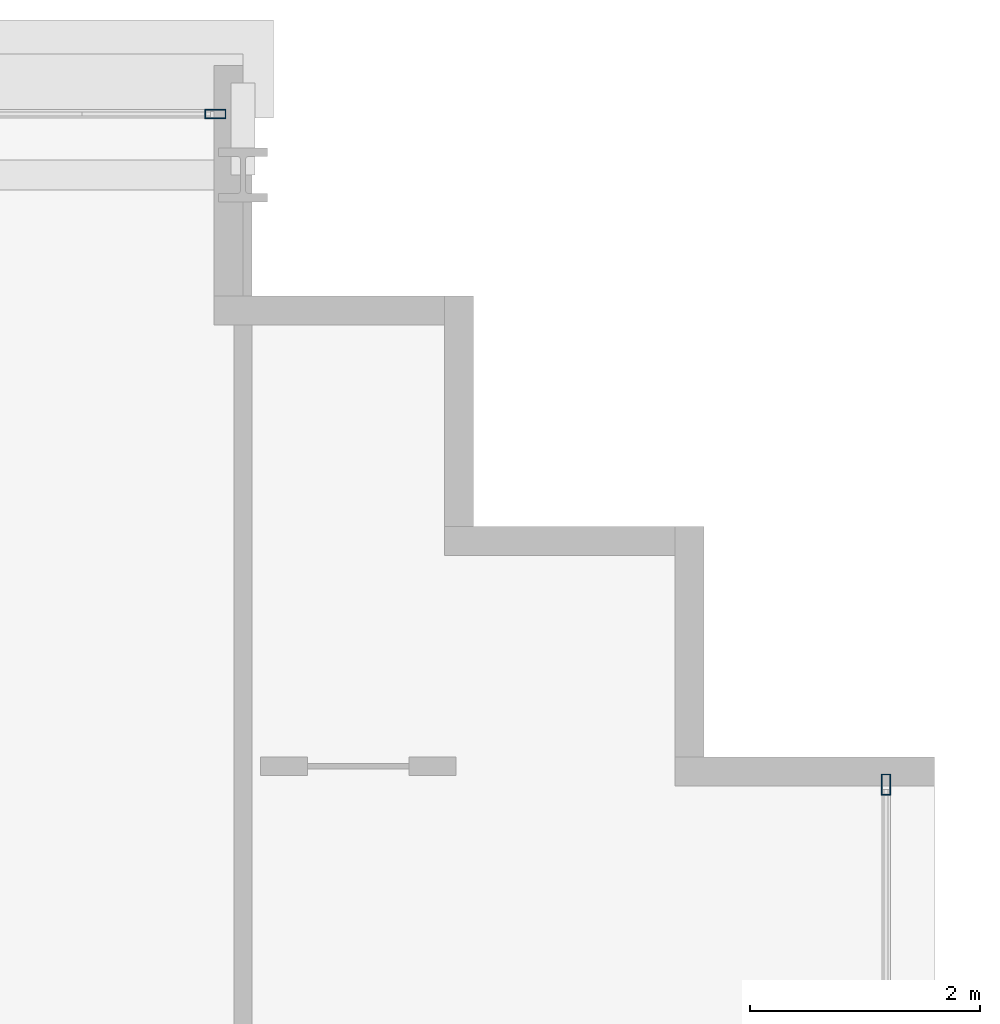
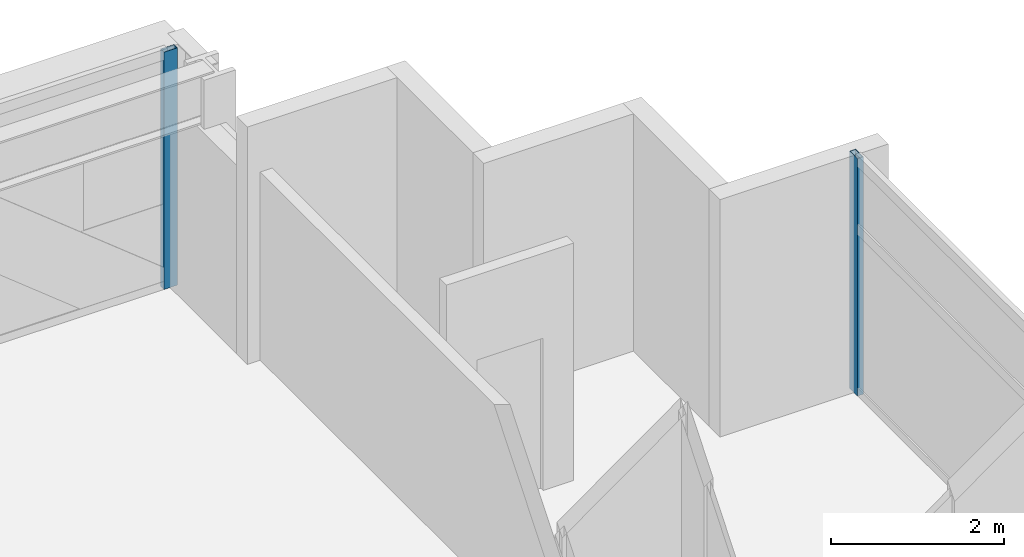
# One storey, part 22 of 35: 2 members, 2 elements without a shape of their own.
"""IFC4 building model written with IfcOpenShell, lengths in metres."""

import ifcopenshell
import ifcopenshell.guid

model = None  # the IFC model being written
_history = None  # IfcOwnerHistory: only IFC2X3 demands one
_inside = {}  # id of a spatial element -> (the spatial element, [elements in it])
_under = {}  # id of a project, library or spatial element -> (it, [spatial elements below it])
_declared = {}  # id of a project -> (the project, [libraries it declares])
_typed = {}  # id of a type object -> (the type object, [elements of that type])
_made_of = {}  # id of a material, layer set ... -> (it, [elements and type objects made of it])


def new_model(schema):
    """Start an empty IFC model of exactly this schema.

    Asked for "IFC4X3", IfcOpenShell would pick the latest addendum, in which some entities
    have other attributes; the version numbers below select the first issue.
    IFC2X3 requires an IfcOwnerHistory on every rooted entity: one is made here for all.
    """
    global model, _history
    if schema == "IFC4X3":
        model = ifcopenshell.file(schema_version=(4, 3, 0, 0))
    else:
        model = ifcopenshell.file(schema=schema)
    _inside.clear()
    _under.clear()
    _declared.clear()
    _typed.clear()
    _made_of.clear()
    _history = None
    if model.schema == "IFC2X3":
        org = make("IfcOrganization", Name="unknown")
        user = make(
            "IfcPersonAndOrganization",
            ThePerson=make("IfcPerson", FamilyName="unknown"),
            TheOrganization=org,
        )
        app = make(
            "IfcApplication",
            ApplicationDeveloper=org,
            Version="unknown",
            ApplicationFullName="unknown",
            ApplicationIdentifier="unknown",
        )
        _history = make(
            "IfcOwnerHistory",
            OwningUser=user,
            OwningApplication=app,
            ChangeAction="ADDED",
            CreationDate=0,
        )
    return model


def make(cls, **values):
    """One entity of the class cls with the attributes given. An attribute that is None is left unset."""
    return model.create_entity(
        cls, **{name: value for name, value in values.items() if value is not None}
    )


def rooted(cls, **values):
    """An entity with a GlobalId (a new one), such as an element, a storey or a relation."""
    return make(cls, GlobalId=ifcopenshell.guid.new(), OwnerHistory=_history, **values)


def si_unit(unit_type, name, prefix=None):
    """IfcSIUnit, for example si_unit("LENGTHUNIT", "METRE", prefix="MILLI")."""
    return make("IfcSIUnit", UnitType=unit_type, Prefix=prefix, Name=name)


def assignment(units):
    """IfcUnitAssignment: the units of a project."""
    return None if units is None else make("IfcUnitAssignment", Units=units)


def point(xyz):
    """IfcCartesianPoint."""
    return None if xyz is None else make("IfcCartesianPoint", Coordinates=xyz)


def direction(xyz):
    """IfcDirection."""
    return None if xyz is None else make("IfcDirection", DirectionRatios=xyz)


def frame(location, z_axis=None, x_axis=None):
    """IfcAxis2Placement3D, a coordinate frame: its origin and axes. An axis left out is left unset."""
    return make(
        "IfcAxis2Placement3D",
        Location=point(location),
        Axis=direction(z_axis),
        RefDirection=direction(x_axis),
    )


def frame_2d(location, x_axis=None):
    """IfcAxis2Placement2D, a coordinate frame in the plane: its origin and x axis."""
    return make(
        "IfcAxis2Placement2D", Location=point(location), RefDirection=direction(x_axis)
    )


def origin():
    """The frame at (0, 0, 0) with its axes left unset."""
    return frame((0.0, 0.0, 0.0))


def origin_2d():
    """The frame at (0, 0) in the plane with its x axis left unset."""
    return frame_2d((0.0, 0.0))


def place(relative_to, where):
    """IfcLocalPlacement: puts the frame where relative to a parent placement (None: the world)."""
    return make(
        "IfcLocalPlacement", PlacementRelTo=relative_to, RelativePlacement=where
    )


def context(
    kind, dimensions, precision=None, world=None, true_north=None, identifier=None
):
    """IfcGeometricRepresentationContext, for example the 3D "Model" context."""
    return make(
        "IfcGeometricRepresentationContext",
        ContextIdentifier=identifier,
        ContextType=kind,
        CoordinateSpaceDimension=dimensions,
        Precision=precision,
        WorldCoordinateSystem=world,
        TrueNorth=true_north,
    )


def subcontext(parent, identifier, kind, view, scale=None):
    """IfcGeometricRepresentationSubContext, for example "Body" below "Model"."""
    return make(
        "IfcGeometricRepresentationSubContext",
        ContextIdentifier=identifier,
        ContextType=kind,
        ParentContext=parent,
        TargetScale=scale,
        TargetView=view,
    )


def project(units=None, contexts=None):
    """IfcProject with its units and contexts."""
    return rooted(
        "IfcProject",
        Name="project",
        RepresentationContexts=contexts,
        UnitsInContext=assignment(units),
    )


def spatial(cls, under=None, at=None, **own):
    """A site, building, storey or space (cls), placed at a placement, below another one or the project."""
    s = rooted(cls, ObjectPlacement=at, **own)
    if under is not None:
        _under.setdefault(under.id(), (under, []))[1].append(s)
    return s


def profile(cls, at=None, kind="AREA", **sizes):
    """A parametric profile (cls). Its sizes go by their IFC names, for example OverallWidth=200.0."""
    return make(cls, ProfileType=kind, Position=at, **sizes)


def hollow_rectangle(**sizes):
    """IfcRectangleHollowProfileDef."""
    return profile("IfcRectangleHollowProfileDef", **sizes)


def extrude(swept, where, along, depth):
    """IfcExtrudedAreaSolid: the profile swept, set in the frame where, extruded along a direction by depth."""
    return make(
        "IfcExtrudedAreaSolid",
        SweptArea=swept,
        Position=where,
        ExtrudedDirection=direction(along),
        Depth=depth,
    )


def shape(context_of_items, identifier, shape_type, items):
    """IfcShapeRepresentation: the items that make up one representation, for example the "Body"."""
    return make(
        "IfcShapeRepresentation",
        ContextOfItems=context_of_items,
        RepresentationIdentifier=identifier,
        RepresentationType=shape_type,
        Items=items,
    )


def source(mapping_origin, context_of_items, identifier, shape_type, items):
    """IfcRepresentationMap: a shape defined once, which mapped items show again and again."""
    return make(
        "IfcRepresentationMap",
        MappingOrigin=mapping_origin,
        MappedRepresentation=shape(context_of_items, identifier, shape_type, items),
    )


def transform(
    local_origin,
    x_axis=None,
    y_axis=None,
    z_axis=None,
    scale=None,
    scale2=None,
    scale3=None,
    uniform=True,
):
    """IfcCartesianTransformationOperator3D, or its non-uniform kind. x_axis, y_axis, z_axis: its Axis1, 2, 3."""
    if uniform:
        return make(
            "IfcCartesianTransformationOperator3D",
            Axis1=direction(x_axis),
            Axis2=direction(y_axis),
            LocalOrigin=point(local_origin),
            Scale=scale,
            Axis3=direction(z_axis),
        )
    return make(
        "IfcCartesianTransformationOperator3DnonUniform",
        Axis1=direction(x_axis),
        Axis2=direction(y_axis),
        LocalOrigin=point(local_origin),
        Scale=scale,
        Axis3=direction(z_axis),
        Scale2=scale2,
        Scale3=scale3,
    )


def mapped(mapping_source, mapping_target):
    """IfcMappedItem: shows the shape of a source again, moved by a transform."""
    return make(
        "IfcMappedItem", MappingSource=mapping_source, MappingTarget=mapping_target
    )


def material(Name=None, Category=None):
    """IfcMaterial."""
    return make("IfcMaterial", Name=Name, Category=Category)


def layer(
    of_material, thickness, ventilated=None, Name=None, Category=None, Priority=None
):
    """IfcMaterialLayer: one layer of a wall or slab, of a material (None: an air gap)."""
    return make(
        "IfcMaterialLayer",
        Material=of_material,
        LayerThickness=thickness,
        IsVentilated=ventilated,
        Name=Name,
        Category=Category,
        Priority=Priority,
    )


def layer_set(layers, Name=None):
    """IfcMaterialLayerSet."""
    return make("IfcMaterialLayerSet", MaterialLayers=layers, LayerSetName=Name)


def material_profile(
    of_material, cross_section, Name=None, Category=None, Priority=None
):
    """IfcMaterialProfile: a cross section and its material."""
    return make(
        "IfcMaterialProfile",
        Name=Name,
        Material=of_material,
        Profile=cross_section,
        Priority=Priority,
        Category=Category,
    )


def profile_set(profiles, Name=None, composite=None):
    """IfcMaterialProfileSet."""
    return make(
        "IfcMaterialProfileSet",
        Name=Name,
        MaterialProfiles=profiles,
        CompositeProfile=composite,
    )


def made_of(thing, what):
    """Note that an element or type object is made of a material, layer set ...; save() writes the relation."""
    if what is not None:
        _made_of.setdefault(what.id(), (what, []))[1].append(thing)
    return thing


def type_object(cls, material=None, **own):
    """A type object (cls), such as IfcWallType, which elements share."""
    return made_of(rooted(cls, **own), material)


def element(
    cls,
    number,
    at=None,
    inside=None,
    cuts=None,
    type_object=None,
    material=None,
    context=None,
    identifier="Body",
    shape_type=None,
    held_by="IfcProductDefinitionShape",
    body=None,
    shapes=None,
    **own,
):
    """One element of the class cls, such as IfcWall. Its Tag is "e" and its number.

    at: its placement. inside: the storey or other place that contains it. cuts: it is an
    opening in that element (IfcRelVoidsElement). A single representation is given by context,
    identifier, shape_type and body (its items); several are given by shapes. held_by: the class
    of the entity that holds the representations. save() writes the other relations.
    """
    e = rooted(cls, Tag="e%d" % number, ObjectPlacement=at, **own)
    if body is not None:
        shapes = [shape(context, identifier, shape_type, body)]
    if shapes is not None:
        e.Representation = make(held_by, Representations=shapes)
    if inside is not None:
        _inside.setdefault(inside.id(), (inside, []))[1].append(e)
    if cuts is not None:
        rooted(
            "IfcRelVoidsElement", RelatingBuildingElement=cuts, RelatedOpeningElement=e
        )
    if type_object is not None:
        _typed.setdefault(type_object.id(), (type_object, []))[1].append(e)
    return made_of(e, material)


def aggregate(whole, parts):
    """IfcRelAggregates: a whole, such as a stair, and the parts it consists of."""
    return rooted("IfcRelAggregates", RelatingObject=whole, RelatedObjects=parts)


def save(model, path):
    """Write the relations noted so far, then the file.

    IfcRelAggregates (storeys below a building ...), IfcRelContainedInSpatialStructure (elements
    in a storey), IfcRelDefinesByType, IfcRelAssociatesMaterial and IfcRelDeclares: one each for
    every whole, place, type object, material and project.
    """
    for whole, parts in _under.values():
        aggregate(whole, parts)
    for where, things in _inside.values():
        rooted(
            "IfcRelContainedInSpatialStructure",
            RelatedElements=things,
            RelatingStructure=where,
        )
    for kind, things in _typed.values():
        rooted("IfcRelDefinesByType", RelatedObjects=things, RelatingType=kind)
    for what, things in _made_of.values():
        rooted("IfcRelAssociatesMaterial", RelatedObjects=things, RelatingMaterial=what)
    for by, libraries in _declared.values():
        rooted("IfcRelDeclares", RelatingContext=by, RelatedDefinitions=libraries)
    model.write(path)


model = new_model("IFC4")

# Units and contexts
model_context = context("Model", 3, precision=1e-05, world=origin(), true_north=direction((0.0, 1.0)))
body_context = subcontext(model_context, "Body", "Model", "MODEL_VIEW")
ifc_project = project(units=[si_unit("LENGTHUNIT", "METRE"), si_unit("AREAUNIT", "SQUARE_METRE"), si_unit("VOLUMEUNIT", "CUBIC_METRE"), si_unit("PLANEANGLEUNIT", "RADIAN"), si_unit("MASSUNIT", "GRAM", prefix="KILO")], contexts=[model_context])

# Site, building, storey
site_placement = place(None, origin())
site = spatial("IfcSite", under=ifc_project, at=site_placement, CompositionType="ELEMENT")
building_placement = place(site_placement, origin())
building = spatial("IfcBuilding", under=site, at=building_placement, Name="Ocotamira Hotel", CompositionType="ELEMENT")
storey_placement = place(building_placement, frame((0.0, 0.0, 56.39990234375)))
storey = spatial("IfcBuildingStorey", under=building, at=storey_placement, Name="L13", CompositionType="ELEMENT", Elevation=56.39990234375)

# Curtain wall, member
ifc_material_1 = material(Name="Anodised pale-metal aluminium and solar glass", Category="aluminium")
ifc_layer = layer(ifc_material_1, 0.179931640625)
ifc_layer_set = layer_set([ifc_layer], Name="Anodised pale-metal aluminium and solar glass")
curtain_wall_type = type_object("IfcCurtainWallType", Name="CW-SYS2-Z1", PredefinedType="NOTDEFINED", material=ifc_layer_set)
curtain_wall_1_placement = place(storey_placement, origin())
curtain_wall_1 = element("IfcCurtainWall", 1, at=curtain_wall_1_placement, inside=storey, type_object=curtain_wall_type, Name="L13 Curtain Wall CW-2 CW-L13-N", PredefinedType="NOTDEFINED")
ifc_material_2 = material(Name="Anodised pale-metal aluminium 6063-T6", Category="aluminium")
ifc_material_profile = material_profile(ifc_material_2, hollow_rectangle(XDim=0.080078125, YDim=0.179931640625, WallThickness=0.006103515625, at=origin_2d()), Name="HSS180X80X6")
ifc_profile_set = profile_set([ifc_material_profile], Name="Anodised pale-metal aluminium 6063-T6")
member_type = type_object("IfcMemberType", Name="CWM-180X75", PredefinedType="MULLION", material=ifc_profile_set)
shared_shape = source(origin(), body_context, "Body", "SweptSolid", [
    extrude(hollow_rectangle(XDim=0.080078125, YDim=0.179931640625, WallThickness=0.006103515625, at=origin_2d()), origin(), (0.0, 0.0, 1.0), 3.35009765625),
])
member_1_placement = place(storey_placement, frame((49.760009765625, 49.580078125, 0.0), z_axis=(0.0, 0.0, 1.0), x_axis=(0.0, 1.0, 0.0)))
member_1 = element("IfcMember", 2, at=member_1_placement, type_object=member_type, Name="CW-2 mullion 10", PredefinedType="MULLION", context=body_context, shape_type="MappedRepresentation", body=[
    mapped(shared_shape, transform((0.0, 0.0, 0.0), scale=1.0)),
])
aggregate(curtain_wall_1, [member_1])

curtain_wall_2_placement = place(storey_placement, origin())
curtain_wall_2 = element("IfcCurtainWall", 3, at=curtain_wall_2_placement, inside=storey, type_object=curtain_wall_type, Name="L13 Curtain Wall CW-2 CW-L13-E", PredefinedType="NOTDEFINED")
member_2_placement = place(storey_placement, frame((55.580078125, 43.760009765625, 0.0), z_axis=(0.0, 0.0, 1.0), x_axis=(-1.0, 0.0, 0.0)))
member_2 = element("IfcMember", 4, at=member_2_placement, type_object=member_type, Name="CW-2 mullion 8", PredefinedType="MULLION", context=body_context, shape_type="MappedRepresentation", body=[
    mapped(shared_shape, transform((0.0, 0.0, 0.0), scale=1.0)),
])
aggregate(curtain_wall_2, [member_2])

save(model, "model.ifc")
